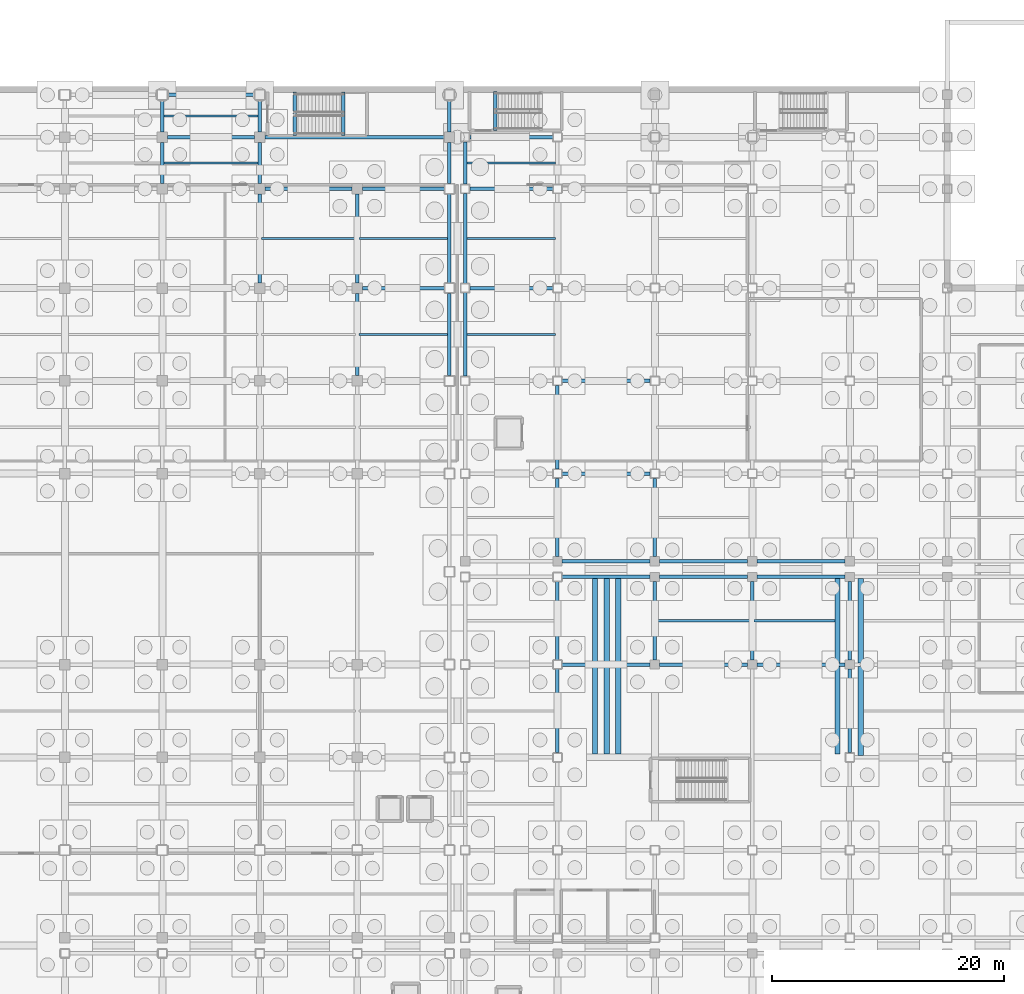
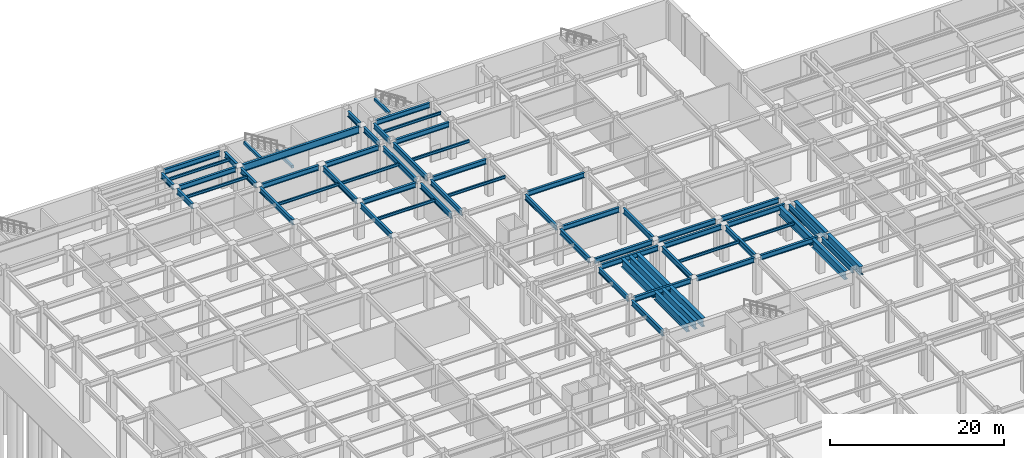
# One storey, part 26 of 55: 66 beams.
"""IFC4 building model written with IfcOpenShell, lengths in metres."""

from ifc_helpers import new_model, si_unit, direction, frame, origin, origin_2d, place, context, subcontext, project, spatial, rectangle, i_section, extrude, material, material_profile, profile_set, type_object, element, save


model = new_model("IFC4")

# Units and contexts
model_context = context("Model", 3, precision=1e-05, world=origin(), true_north=direction((0.0, 1.0)))
body_context = subcontext(model_context, "Body", "Model", "MODEL_VIEW")
ifc_project = project(units=[si_unit("LENGTHUNIT", "METRE"), si_unit("AREAUNIT", "SQUARE_METRE"), si_unit("VOLUMEUNIT", "CUBIC_METRE"), si_unit("PLANEANGLEUNIT", "RADIAN"), si_unit("MASSUNIT", "GRAM", prefix="KILO")], contexts=[model_context])

# Site, building, storey
site_placement = place(None, origin())
site = spatial("IfcSite", under=ifc_project, at=site_placement, CompositionType="ELEMENT")
building_placement = place(site_placement, origin())
building = spatial("IfcBuilding", under=site, at=building_placement, Name="Kazehara Bluff Congress Hotel", CompositionType="ELEMENT")
storey_placement = place(building_placement, frame((0.0, 0.0, -5.39990234375)))
storey = spatial("IfcBuildingStorey", under=building, at=storey_placement, Name="B1", CompositionType="ELEMENT", Elevation=-5.39990234375)

# Beams
ifc_material_1 = material(Name="Steel SN490B", Category="steel")
ifc_material_profile_1 = material_profile(ifc_material_1, i_section(OverallWidth=0.300048828125, OverallDepth=0.699951171875, WebThickness=0.012939453125, FlangeThickness=0.02392578125, FilletRadius=0.01806640625, at=origin_2d()))
ifc_profile_set_1 = profile_set([ifc_material_profile_1], Name="Steel SN490B")
beam_type_1 = type_object("IfcBeamType", Name="TP-G-04", PredefinedType="BEAM", material=ifc_profile_set_1)
beam_1_placement = place(storey_placement, frame((68.050048828125, 64.449951171875, 4.77001953125), z_axis=(1.0, 0.0, 0.0), x_axis=(0.0, 1.0, 0.0)))
element("IfcBeam", 1, at=beam_1_placement, inside=storey, type_object=beam_type_1, Name="B1 girder G-04 421", PredefinedType="BEAM", context=body_context, shape_type="SweptSolid", body=[
    extrude(i_section(OverallWidth=0.300048828125, OverallDepth=0.699951171875, WebThickness=0.012939453125, FlangeThickness=0.02392578125, FilletRadius=0.01806640625, at=origin_2d()), origin(), (0.0, 0.0, 1.0), 7.599853515625),
])
beam_2_placement = place(storey_placement, frame((76.449951171875, 64.449951171875, 4.77001953125), z_axis=(1.0, 0.0, 0.0), x_axis=(0.0, 1.0, 0.0)))
element("IfcBeam", 2, at=beam_2_placement, inside=storey, type_object=beam_type_1, Name="B1 girder G-04 422", PredefinedType="BEAM", context=body_context, shape_type="SweptSolid", body=[
    extrude(i_section(OverallWidth=0.300048828125, OverallDepth=0.699951171875, WebThickness=0.012939453125, FlangeThickness=0.02392578125, FilletRadius=0.01806640625, at=origin_2d()), origin(), (0.0, 0.0, 1.0), 7.60009765625),
])
for number, where, z_axis, x_axis, name in (
    (3, (84.85009765625, 64.449951171875, 4.77001953125), (1.0, 0.0, 0.0), (0.0, 1.0, 0.0), "B1 girder G-04 423"),
    (4, (68.050048828125, 72.0, 4.77001953125), (1.0, 0.0, 0.0), (0.0, 1.0, 0.0), "B1 girder G-04 434"),
):
    element("IfcBeam", number, at=place(storey_placement, frame(where, z_axis=z_axis, x_axis=x_axis)), inside=storey, type_object=beam_type_1, Name=name, PredefinedType="BEAM", context=body_context, shape_type="SweptSolid", body=[
        extrude(i_section(OverallWidth=0.300048828125, OverallDepth=0.699951171875, WebThickness=0.012939453125, FlangeThickness=0.02392578125, FilletRadius=0.01806640625, at=origin_2d()), origin(), (0.0, 0.0, 1.0), 7.599853515625),
    ])
beam_3_placement = place(storey_placement, frame((76.449951171875, 72.0, 4.77001953125), z_axis=(1.0, 0.0, 0.0), x_axis=(0.0, 1.0, 0.0)))
element("IfcBeam", 5, at=beam_3_placement, inside=storey, type_object=beam_type_1, Name="B1 girder G-04 435", PredefinedType="BEAM", context=body_context, shape_type="SweptSolid", body=[
    extrude(i_section(OverallWidth=0.300048828125, OverallDepth=0.699951171875, WebThickness=0.012939453125, FlangeThickness=0.02392578125, FilletRadius=0.01806640625, at=origin_2d()), origin(), (0.0, 0.0, 1.0), 7.60009765625),
])
for number, where, z_axis, x_axis, name in (
    (6, (84.85009765625, 72.0, 4.77001953125), (1.0, 0.0, 0.0), (0.0, 1.0, 0.0), "B1 girder G-04 436"),
    (7, (68.050048828125, 73.35009765625, 4.77001953125), (1.0, 0.0, 0.0), (0.0, 1.0, 0.0), "B1 girder G-04 448"),
):
    element("IfcBeam", number, at=place(storey_placement, frame(where, z_axis=z_axis, x_axis=x_axis)), inside=storey, type_object=beam_type_1, Name=name, PredefinedType="BEAM", context=body_context, shape_type="SweptSolid", body=[
        extrude(i_section(OverallWidth=0.300048828125, OverallDepth=0.699951171875, WebThickness=0.012939453125, FlangeThickness=0.02392578125, FilletRadius=0.01806640625, at=origin_2d()), origin(), (0.0, 0.0, 1.0), 7.599853515625),
    ])
beam_4_placement = place(storey_placement, frame((76.449951171875, 73.35009765625, 4.77001953125), z_axis=(1.0, 0.0, 0.0), x_axis=(0.0, 1.0, 0.0)))
element("IfcBeam", 8, at=beam_4_placement, inside=storey, type_object=beam_type_1, Name="B1 girder G-04 449", PredefinedType="BEAM", context=body_context, shape_type="SweptSolid", body=[
    extrude(i_section(OverallWidth=0.300048828125, OverallDepth=0.699951171875, WebThickness=0.012939453125, FlangeThickness=0.02392578125, FilletRadius=0.01806640625, at=origin_2d()), origin(), (0.0, 0.0, 1.0), 7.60009765625),
])
for number, where, z_axis, x_axis, name in (
    (9, (84.85009765625, 73.35009765625, 4.77001953125), (1.0, 0.0, 0.0), (0.0, 1.0, 0.0), "B1 girder G-04 450"),
    (10, (68.050048828125, 80.89990234375, 4.77001953125), (1.0, 0.0, 0.0), (0.0, 1.0, 0.0), "B1 girder G-04 466"),
    (11, (68.050048828125, 88.89990234375, 4.77001953125), (1.0, 0.0, 0.0), (0.0, 1.0, 0.0), "B1 girder G-04 486"),
):
    element("IfcBeam", number, at=place(storey_placement, frame(where, z_axis=z_axis, x_axis=x_axis)), inside=storey, type_object=beam_type_1, Name=name, PredefinedType="BEAM", context=body_context, shape_type="SweptSolid", body=[
        extrude(i_section(OverallWidth=0.300048828125, OverallDepth=0.699951171875, WebThickness=0.012939453125, FlangeThickness=0.02392578125, FilletRadius=0.01806640625, at=origin_2d()), origin(), (0.0, 0.0, 1.0), 7.599853515625),
    ])
beam_5_placement = place(storey_placement, frame((50.85009765625, 96.89990234375, 4.77001953125), z_axis=(1.0, 0.0, 0.0), x_axis=(0.0, 1.0, 0.0)))
element("IfcBeam", 12, at=beam_5_placement, inside=storey, type_object=beam_type_1, Name="B1 girder G-04 504", PredefinedType="BEAM", context=body_context, shape_type="SweptSolid", body=[
    extrude(i_section(OverallWidth=0.300048828125, OverallDepth=0.699951171875, WebThickness=0.012939453125, FlangeThickness=0.02392578125, FilletRadius=0.01806640625, at=origin_2d()), origin(), (0.0, 0.0, 1.0), 7.0498046875),
])
beam_6_placement = place(storey_placement, frame((60.10009765625, 96.89990234375, 4.77001953125), z_axis=(1.0, 0.0, 0.0), x_axis=(0.0, 1.0, 0.0)))
element("IfcBeam", 13, at=beam_6_placement, inside=storey, type_object=beam_type_1, Name="B1 girder G-04 505", PredefinedType="BEAM", context=body_context, shape_type="SweptSolid", body=[
    extrude(i_section(OverallWidth=0.300048828125, OverallDepth=0.699951171875, WebThickness=0.012939453125, FlangeThickness=0.02392578125, FilletRadius=0.01806640625, at=origin_2d()), origin(), (0.0, 0.0, 1.0), 7.14990234375),
])
beam_7_placement = place(storey_placement, frame((42.449951171875, 105.449951171875, 4.77001953125), z_axis=(1.0, 0.0, 0.0), x_axis=(0.0, 1.0, 0.0)))
element("IfcBeam", 14, at=beam_7_placement, inside=storey, type_object=beam_type_1, Name="B1 girder G-04 516", PredefinedType="BEAM", context=body_context, shape_type="SweptSolid", body=[
    extrude(i_section(OverallWidth=0.300048828125, OverallDepth=0.699951171875, WebThickness=0.012939453125, FlangeThickness=0.02392578125, FilletRadius=0.01806640625, at=origin_2d()), origin(), (0.0, 0.0, 1.0), 7.5),
])
beam_8_placement = place(storey_placement, frame((50.85009765625, 105.449951171875, 4.77001953125), z_axis=(1.0, 0.0, 0.0), x_axis=(0.0, 1.0, 0.0)))
element("IfcBeam", 15, at=beam_8_placement, inside=storey, type_object=beam_type_1, Name="B1 girder G-04 517", PredefinedType="BEAM", context=body_context, shape_type="SweptSolid", body=[
    extrude(i_section(OverallWidth=0.300048828125, OverallDepth=0.699951171875, WebThickness=0.012939453125, FlangeThickness=0.02392578125, FilletRadius=0.01806640625, at=origin_2d()), origin(), (0.0, 0.0, 1.0), 7.0498046875),
])
beam_9_placement = place(storey_placement, frame((60.10009765625, 105.449951171875, 4.77001953125), z_axis=(1.0, 0.0, 0.0), x_axis=(0.0, 1.0, 0.0)))
element("IfcBeam", 16, at=beam_9_placement, inside=storey, type_object=beam_type_1, Name="B1 girder G-04 518", PredefinedType="BEAM", context=body_context, shape_type="SweptSolid", body=[
    extrude(i_section(OverallWidth=0.300048828125, OverallDepth=0.699951171875, WebThickness=0.012939453125, FlangeThickness=0.02392578125, FilletRadius=0.01806640625, at=origin_2d()), origin(), (0.0, 0.0, 1.0), 7.14990234375),
])
beam_10_placement = place(storey_placement, frame((34.050048828125, 109.89990234375, 4.77001953125), z_axis=(1.0, 0.0, 0.0), x_axis=(0.0, 1.0, 0.0)))
element("IfcBeam", 17, at=beam_10_placement, inside=storey, type_object=beam_type_1, Name="B1 girder G-04 527", PredefinedType="BEAM", context=body_context, shape_type="SweptSolid", body=[
    extrude(i_section(OverallWidth=0.300048828125, OverallDepth=0.699951171875, WebThickness=0.012939453125, FlangeThickness=0.02392578125, FilletRadius=0.01806640625, at=origin_2d()), origin(), (0.0, 0.0, 1.0), 7.5),
])
beam_11_placement = place(storey_placement, frame((60.10009765625, 109.89990234375, 4.77001953125), z_axis=(1.0, 0.0, 0.0), x_axis=(0.0, 1.0, 0.0)))
element("IfcBeam", 18, at=beam_11_placement, inside=storey, type_object=beam_type_1, Name="B1 girder G-04 529", PredefinedType="BEAM", context=body_context, shape_type="SweptSolid", body=[
    extrude(i_section(OverallWidth=0.300048828125, OverallDepth=0.699951171875, WebThickness=0.012939453125, FlangeThickness=0.02392578125, FilletRadius=0.01806640625, at=origin_2d()), origin(), (0.0, 0.0, 1.0), 7.14990234375),
])
beam_12_placement = place(storey_placement, frame((34.050048828125, 113.550048828125, 4.77001953125), z_axis=(1.0, 0.0, 0.0), x_axis=(0.0, 1.0, 0.0)))
element("IfcBeam", 19, at=beam_12_placement, inside=storey, type_object=beam_type_1, Name="B1 girder G-04 537", PredefinedType="BEAM", context=body_context, shape_type="SweptSolid", body=[
    extrude(i_section(OverallWidth=0.300048828125, OverallDepth=0.699951171875, WebThickness=0.012939453125, FlangeThickness=0.02392578125, FilletRadius=0.01806640625, at=origin_2d()), origin(), (0.0, 0.0, 1.0), 7.5),
])
ifc_material_2 = material(Name="Steel SN490B", Category="steel")
ifc_material_profile_2 = material_profile(ifc_material_2, i_section(OverallWidth=0.300048828125, OverallDepth=0.75, WebThickness=0.012939453125, FlangeThickness=0.02392578125, FilletRadius=0.01806640625, at=origin_2d()))
ifc_profile_set_2 = profile_set([ifc_material_profile_2], Name="Steel SN490B")
beam_type_2 = type_object("IfcBeamType", Name="TP-G-05", PredefinedType="BEAM", material=ifc_profile_set_2)
beam_13_placement = place(storey_placement, frame((33.60009765625, 105.89990234375, 4.744873046875), z_axis=(0.0, 1.0, 0.0), x_axis=(-1.0, 0.0, 0.0)))
element("IfcBeam", 20, at=beam_13_placement, inside=storey, type_object=beam_type_2, Name="B1 girder G-05 61", PredefinedType="BEAM", context=body_context, shape_type="SweptSolid", body=[
    extrude(i_section(OverallWidth=0.300048828125, OverallDepth=0.75, WebThickness=0.012939453125, FlangeThickness=0.02392578125, FilletRadius=0.01806640625, at=origin_2d()), origin(), (0.0, 0.0, 1.0), 3.550048828125),
])
beam_14_placement = place(storey_placement, frame((33.60009765625, 110.35009765625, 4.744873046875), z_axis=(0.0, 1.0, 0.0), x_axis=(-1.0, 0.0, 0.0)))
element("IfcBeam", 21, at=beam_14_placement, inside=storey, type_object=beam_type_2, Name="B1 girder G-05 62", PredefinedType="BEAM", context=body_context, shape_type="SweptSolid", body=[
    extrude(i_section(OverallWidth=0.300048828125, OverallDepth=0.75, WebThickness=0.012939453125, FlangeThickness=0.02392578125, FilletRadius=0.01806640625, at=origin_2d()), origin(), (0.0, 0.0, 1.0), 2.75),
])
beam_15_placement = place(storey_placement, frame((42.0, 97.35009765625, 4.744873046875), z_axis=(0.0, 1.0, 0.0), x_axis=(-1.0, 0.0, 0.0)))
element("IfcBeam", 22, at=beam_15_placement, inside=storey, type_object=beam_type_2, Name="B1 girder G-05 74", PredefinedType="BEAM", context=body_context, shape_type="SweptSolid", body=[
    extrude(i_section(OverallWidth=0.300048828125, OverallDepth=0.75, WebThickness=0.012939453125, FlangeThickness=0.02392578125, FilletRadius=0.01806640625, at=origin_2d()), origin(), (0.0, 0.0, 1.0), 7.64990234375),
])
beam_16_placement = place(storey_placement, frame((42.0, 105.89990234375, 4.744873046875), z_axis=(0.0, 1.0, 0.0), x_axis=(-1.0, 0.0, 0.0)))
element("IfcBeam", 23, at=beam_16_placement, inside=storey, type_object=beam_type_2, Name="B1 girder G-05 75", PredefinedType="BEAM", context=body_context, shape_type="SweptSolid", body=[
    extrude(i_section(OverallWidth=0.300048828125, OverallDepth=0.75, WebThickness=0.012939453125, FlangeThickness=0.02392578125, FilletRadius=0.01806640625, at=origin_2d()), origin(), (0.0, 0.0, 1.0), 3.550048828125),
])
beam_17_placement = place(storey_placement, frame((42.0, 110.35009765625, 4.744873046875), z_axis=(0.0, 1.0, 0.0), x_axis=(-1.0, 0.0, 0.0)))
element("IfcBeam", 24, at=beam_17_placement, inside=storey, type_object=beam_type_2, Name="B1 girder G-05 76", PredefinedType="BEAM", context=body_context, shape_type="SweptSolid", body=[
    extrude(i_section(OverallWidth=0.300048828125, OverallDepth=0.75, WebThickness=0.012939453125, FlangeThickness=0.02392578125, FilletRadius=0.01806640625, at=origin_2d()), origin(), (0.0, 0.0, 1.0), 2.75),
])
beam_18_placement = place(storey_placement, frame((50.39990234375, 89.35009765625, 4.744873046875), z_axis=(0.0, 1.0, 0.0), x_axis=(-1.0, 0.0, 0.0)))
element("IfcBeam", 25, at=beam_18_placement, inside=storey, type_object=beam_type_2, Name="B1 girder G-05 86", PredefinedType="BEAM", context=body_context, shape_type="SweptSolid", body=[
    extrude(i_section(OverallWidth=0.300048828125, OverallDepth=0.75, WebThickness=0.012939453125, FlangeThickness=0.02392578125, FilletRadius=0.01806640625, at=origin_2d()), origin(), (0.0, 0.0, 1.0), 7.099853515625),
])
beam_19_placement = place(storey_placement, frame((50.39990234375, 97.35009765625, 4.744873046875), z_axis=(0.0, 1.0, 0.0), x_axis=(-1.0, 0.0, 0.0)))
element("IfcBeam", 26, at=beam_19_placement, inside=storey, type_object=beam_type_2, Name="B1 girder G-05 87", PredefinedType="BEAM", context=body_context, shape_type="SweptSolid", body=[
    extrude(i_section(OverallWidth=0.300048828125, OverallDepth=0.75, WebThickness=0.012939453125, FlangeThickness=0.02392578125, FilletRadius=0.01806640625, at=origin_2d()), origin(), (0.0, 0.0, 1.0), 7.64990234375),
])
beam_20_placement = place(storey_placement, frame((58.35009765625, 89.35009765625, 4.744873046875), z_axis=(0.0, 1.0, 0.0), x_axis=(-1.0, 0.0, 0.0)))
element("IfcBeam", 27, at=beam_20_placement, inside=storey, type_object=beam_type_2, Name="B1 girder G-05 99", PredefinedType="BEAM", context=body_context, shape_type="SweptSolid", body=[
    extrude(i_section(OverallWidth=0.300048828125, OverallDepth=0.75, WebThickness=0.012939453125, FlangeThickness=0.02392578125, FilletRadius=0.01806640625, at=origin_2d()), origin(), (0.0, 0.0, 1.0), 7.099853515625),
])
beam_21_placement = place(storey_placement, frame((58.35009765625, 97.35009765625, 4.744873046875), z_axis=(0.0, 1.0, 0.0), x_axis=(-1.0, 0.0, 0.0)))
element("IfcBeam", 28, at=beam_21_placement, inside=storey, type_object=beam_type_2, Name="B1 girder G-05 100", PredefinedType="BEAM", context=body_context, shape_type="SweptSolid", body=[
    extrude(i_section(OverallWidth=0.300048828125, OverallDepth=0.75, WebThickness=0.012939453125, FlangeThickness=0.02392578125, FilletRadius=0.01806640625, at=origin_2d()), origin(), (0.0, 0.0, 1.0), 7.64990234375),
])
beam_22_placement = place(storey_placement, frame((58.35009765625, 105.89990234375, 4.744873046875), z_axis=(0.0, 1.0, 0.0), x_axis=(-1.0, 0.0, 0.0)))
element("IfcBeam", 29, at=beam_22_placement, inside=storey, type_object=beam_type_2, Name="B1 girder G-05 101", PredefinedType="BEAM", context=body_context, shape_type="SweptSolid", body=[
    extrude(i_section(OverallWidth=0.300048828125, OverallDepth=0.75, WebThickness=0.012939453125, FlangeThickness=0.02392578125, FilletRadius=0.01806640625, at=origin_2d()), origin(), (0.0, 0.0, 1.0), 3.550048828125),
])
beam_23_placement = place(storey_placement, frame((58.35009765625, 110.35009765625, 4.744873046875), z_axis=(0.0, 1.0, 0.0), x_axis=(-1.0, 0.0, 0.0)))
element("IfcBeam", 30, at=beam_23_placement, inside=storey, type_object=beam_type_2, Name="B1 girder G-05 102", PredefinedType="BEAM", context=body_context, shape_type="SweptSolid", body=[
    extrude(i_section(OverallWidth=0.300048828125, OverallDepth=0.75, WebThickness=0.012939453125, FlangeThickness=0.02392578125, FilletRadius=0.01806640625, at=origin_2d()), origin(), (0.0, 0.0, 1.0), 2.75),
])
beam_24_placement = place(storey_placement, frame((59.699951171875, 89.300048828125, 4.744873046875), z_axis=(0.0, 1.0, 0.0), x_axis=(-1.0, 0.0, 0.0)))
element("IfcBeam", 31, at=beam_24_placement, inside=storey, type_object=beam_type_2, Name="B1 girder G-05 112", PredefinedType="BEAM", context=body_context, shape_type="SweptSolid", body=[
    extrude(i_section(OverallWidth=0.300048828125, OverallDepth=0.75, WebThickness=0.012939453125, FlangeThickness=0.02392578125, FilletRadius=0.01806640625, at=origin_2d()), origin(), (0.0, 0.0, 1.0), 7.199951171875),
])
beam_25_placement = place(storey_placement, frame((59.699951171875, 97.300048828125, 4.744873046875), z_axis=(0.0, 1.0, 0.0), x_axis=(-1.0, 0.0, 0.0)))
element("IfcBeam", 32, at=beam_25_placement, inside=storey, type_object=beam_type_2, Name="B1 girder G-05 113", PredefinedType="BEAM", context=body_context, shape_type="SweptSolid", body=[
    extrude(i_section(OverallWidth=0.300048828125, OverallDepth=0.75, WebThickness=0.012939453125, FlangeThickness=0.02392578125, FilletRadius=0.01806640625, at=origin_2d()), origin(), (0.0, 0.0, 1.0), 7.75),
])
beam_26_placement = place(storey_placement, frame((59.699951171875, 105.85009765625, 4.744873046875), z_axis=(0.0, 1.0, 0.0), x_axis=(-1.0, 0.0, 0.0)))
element("IfcBeam", 33, at=beam_26_placement, inside=storey, type_object=beam_type_2, Name="B1 girder G-05 114", PredefinedType="BEAM", context=body_context, shape_type="SweptSolid", body=[
    extrude(i_section(OverallWidth=0.300048828125, OverallDepth=0.75, WebThickness=0.012939453125, FlangeThickness=0.02392578125, FilletRadius=0.01806640625, at=origin_2d()), origin(), (0.0, 0.0, 1.0), 3.64990234375),
])
beam_27_placement = place(storey_placement, frame((67.64990234375, 56.85009765625, 4.744873046875), z_axis=(0.0, 1.0, 0.0), x_axis=(-1.0, 0.0, 0.0)))
element("IfcBeam", 34, at=beam_27_placement, inside=storey, type_object=beam_type_2, Name="B1 girder G-05 120", PredefinedType="BEAM", context=body_context, shape_type="SweptSolid", body=[
    extrude(i_section(OverallWidth=0.300048828125, OverallDepth=0.75, WebThickness=0.012939453125, FlangeThickness=0.02392578125, FilletRadius=0.01806640625, at=origin_2d()), origin(), (0.0, 0.0, 1.0), 7.199951171875),
])
for number, where, z_axis, x_axis, name in (
    (35, (67.64990234375, 64.85009765625, 4.744873046875), (0.0, 1.0, 0.0), (-1.0, 0.0, 0.0), "B1 girder G-05 121"),
    (36, (67.64990234375, 73.75, 4.744873046875), (0.0, 1.0, 0.0), (-1.0, 0.0, 0.0), "B1 girder G-05 122"),
):
    element("IfcBeam", number, at=place(storey_placement, frame(where, z_axis=z_axis, x_axis=x_axis)), inside=storey, type_object=beam_type_2, Name=name, PredefinedType="BEAM", context=body_context, shape_type="SweptSolid", body=[
        extrude(i_section(OverallWidth=0.300048828125, OverallDepth=0.75, WebThickness=0.012939453125, FlangeThickness=0.02392578125, FilletRadius=0.01806640625, at=origin_2d()), origin(), (0.0, 0.0, 1.0), 6.75),
    ])
beam_28_placement = place(storey_placement, frame((67.64990234375, 81.300048828125, 4.744873046875), z_axis=(0.0, 1.0, 0.0), x_axis=(-1.0, 0.0, 0.0)))
element("IfcBeam", 37, at=beam_28_placement, inside=storey, type_object=beam_type_2, Name="B1 girder G-05 123", PredefinedType="BEAM", context=body_context, shape_type="SweptSolid", body=[
    extrude(i_section(OverallWidth=0.300048828125, OverallDepth=0.75, WebThickness=0.012939453125, FlangeThickness=0.02392578125, FilletRadius=0.01806640625, at=origin_2d()), origin(), (0.0, 0.0, 1.0), 7.199951171875),
])
for number, where, z_axis, x_axis, name in (
    (38, (76.050048828125, 64.85009765625, 4.744873046875), (0.0, 1.0, 0.0), (-1.0, 0.0, 0.0), "B1 girder G-05 132"),
    (39, (76.050048828125, 73.75, 4.744873046875), (0.0, 1.0, 0.0), (-1.0, 0.0, 0.0), "B1 girder G-05 133"),
    (40, (84.449951171875, 64.85009765625, 4.744873046875), (0.0, 1.0, 0.0), (-1.0, 0.0, 0.0), "B1 girder G-05 144"),
):
    element("IfcBeam", number, at=place(storey_placement, frame(where, z_axis=z_axis, x_axis=x_axis)), inside=storey, type_object=beam_type_2, Name=name, PredefinedType="BEAM", context=body_context, shape_type="SweptSolid", body=[
        extrude(i_section(OverallWidth=0.300048828125, OverallDepth=0.75, WebThickness=0.012939453125, FlangeThickness=0.02392578125, FilletRadius=0.01806640625, at=origin_2d()), origin(), (0.0, 0.0, 1.0), 6.75),
    ])
beam_29_placement = place(storey_placement, frame((92.85009765625, 56.85009765625, 4.744873046875), z_axis=(0.0, 1.0, 0.0), x_axis=(-1.0, 0.0, 0.0)))
element("IfcBeam", 41, at=beam_29_placement, inside=storey, type_object=beam_type_2, Name="B1 girder G-05 155", PredefinedType="BEAM", context=body_context, shape_type="SweptSolid", body=[
    extrude(i_section(OverallWidth=0.300048828125, OverallDepth=0.75, WebThickness=0.012939453125, FlangeThickness=0.02392578125, FilletRadius=0.01806640625, at=origin_2d()), origin(), (0.0, 0.0, 1.0), 7.199951171875),
])
beam_30_placement = place(storey_placement, frame((92.85009765625, 64.85009765625, 4.744873046875), z_axis=(0.0, 1.0, 0.0), x_axis=(-1.0, 0.0, 0.0)))
element("IfcBeam", 42, at=beam_30_placement, inside=storey, type_object=beam_type_2, Name="B1 girder G-05 156", PredefinedType="BEAM", context=body_context, shape_type="SweptSolid", body=[
    extrude(i_section(OverallWidth=0.300048828125, OverallDepth=0.75, WebThickness=0.012939453125, FlangeThickness=0.02392578125, FilletRadius=0.01806640625, at=origin_2d()), origin(), (0.0, 0.0, 1.0), 6.75),
])
ifc_material_3 = material(Name="Steel SN490B", Category="steel")
ifc_material_profile_3 = material_profile(ifc_material_3, i_section(OverallWidth=0.300048828125, OverallDepth=1.0, WebThickness=0.01611328125, FlangeThickness=0.028076171875, FilletRadius=0.02197265625, at=origin_2d()))
ifc_profile_set_3 = profile_set([ifc_material_profile_3], Name="Steel SN490B")
beam_type_3 = type_object("IfcBeamType", Name="TP-G-09", PredefinedType="BEAM", material=ifc_profile_set_3)
beam_31_placement = place(storey_placement, frame((42.449951171875, 109.89990234375, 4.619873046875), z_axis=(1.0, 0.0, 0.0), x_axis=(0.0, 1.0, 0.0)))
element("IfcBeam", 43, at=beam_31_placement, inside=storey, type_object=beam_type_3, Name="B1 girder G-09 528", PredefinedType="BEAM", context=body_context, shape_type="SweptSolid", body=[
    extrude(i_section(OverallWidth=0.300048828125, OverallDepth=1.0, WebThickness=0.01611328125, FlangeThickness=0.028076171875, FilletRadius=0.02197265625, at=origin_2d()), origin(), (0.0, 0.0, 1.0), 15.449951171875),
])
ifc_material_4 = material(Name="Steel SN490B", Category="steel")
ifc_material_profile_4 = material_profile(ifc_material_4, i_section(OverallWidth=0.449951171875, OverallDepth=1.199951171875, WebThickness=0.02001953125, FlangeThickness=0.031982421875, at=origin_2d()))
ifc_profile_set_4 = profile_set([ifc_material_profile_4], Name="Steel SN490B")
beam_type_4 = type_object("IfcBeamType", Name="TP-G-10", PredefinedType="BEAM", material=ifc_profile_set_4)
beam_32_placement = place(storey_placement, frame((70.89990234375, 56.72509765625, 4.52001953125), z_axis=(0.0, 1.0, 0.0), x_axis=(-1.0, 0.0, 0.0)))
element("IfcBeam", 44, at=beam_32_placement, inside=storey, type_object=beam_type_4, Name="B1 courtyard ramp support girder G-10 540", PredefinedType="BEAM", context=body_context, shape_type="SweptSolid", body=[
    extrude(i_section(OverallWidth=0.449951171875, OverallDepth=1.199951171875, WebThickness=0.02001953125, FlangeThickness=0.031982421875, at=origin_2d()), origin(), (0.0, 0.0, 1.0), 7.574951171875),
])
beam_33_placement = place(storey_placement, frame((70.89990234375, 64.60009765625, 4.52001953125), z_axis=(0.0, 1.0, 0.0), x_axis=(-1.0, 0.0, 0.0)))
element("IfcBeam", 45, at=beam_33_placement, inside=storey, type_object=beam_type_4, Name="B1 courtyard ramp support girder G-10 541", PredefinedType="BEAM", context=body_context, shape_type="SweptSolid", body=[
    extrude(i_section(OverallWidth=0.449951171875, OverallDepth=1.199951171875, WebThickness=0.02001953125, FlangeThickness=0.031982421875, at=origin_2d()), origin(), (0.0, 0.0, 1.0), 7.25),
])
beam_34_placement = place(storey_placement, frame((71.89990234375, 56.72509765625, 4.52001953125), z_axis=(0.0, 1.0, 0.0), x_axis=(-1.0, 0.0, 0.0)))
element("IfcBeam", 46, at=beam_34_placement, inside=storey, type_object=beam_type_4, Name="B1 courtyard ramp support girder G-10 542", PredefinedType="BEAM", context=body_context, shape_type="SweptSolid", body=[
    extrude(i_section(OverallWidth=0.449951171875, OverallDepth=1.199951171875, WebThickness=0.02001953125, FlangeThickness=0.031982421875, at=origin_2d()), origin(), (0.0, 0.0, 1.0), 7.574951171875),
])
beam_35_placement = place(storey_placement, frame((71.89990234375, 64.60009765625, 4.52001953125), z_axis=(0.0, 1.0, 0.0), x_axis=(-1.0, 0.0, 0.0)))
element("IfcBeam", 47, at=beam_35_placement, inside=storey, type_object=beam_type_4, Name="B1 courtyard ramp support girder G-10 543", PredefinedType="BEAM", context=body_context, shape_type="SweptSolid", body=[
    extrude(i_section(OverallWidth=0.449951171875, OverallDepth=1.199951171875, WebThickness=0.02001953125, FlangeThickness=0.031982421875, at=origin_2d()), origin(), (0.0, 0.0, 1.0), 7.25),
])
beam_36_placement = place(storey_placement, frame((72.89990234375, 56.72509765625, 4.52001953125), z_axis=(0.0, 1.0, 0.0), x_axis=(-1.0, 0.0, 0.0)))
element("IfcBeam", 48, at=beam_36_placement, inside=storey, type_object=beam_type_4, Name="B1 courtyard ramp support girder G-10 544", PredefinedType="BEAM", context=body_context, shape_type="SweptSolid", body=[
    extrude(i_section(OverallWidth=0.449951171875, OverallDepth=1.199951171875, WebThickness=0.02001953125, FlangeThickness=0.031982421875, at=origin_2d()), origin(), (0.0, 0.0, 1.0), 7.574951171875),
])
beam_37_placement = place(storey_placement, frame((72.89990234375, 64.60009765625, 4.52001953125), z_axis=(0.0, 1.0, 0.0), x_axis=(-1.0, 0.0, 0.0)))
element("IfcBeam", 49, at=beam_37_placement, inside=storey, type_object=beam_type_4, Name="B1 courtyard ramp support girder G-10 545", PredefinedType="BEAM", context=body_context, shape_type="SweptSolid", body=[
    extrude(i_section(OverallWidth=0.449951171875, OverallDepth=1.199951171875, WebThickness=0.02001953125, FlangeThickness=0.031982421875, at=origin_2d()), origin(), (0.0, 0.0, 1.0), 7.25),
])
beam_38_placement = place(storey_placement, frame((91.800048828125, 56.72509765625, 4.52001953125), z_axis=(0.0, 1.0, 0.0), x_axis=(-1.0, 0.0, 0.0)))
element("IfcBeam", 50, at=beam_38_placement, inside=storey, type_object=beam_type_4, Name="B1 courtyard ramp support girder G-10 546", PredefinedType="BEAM", context=body_context, shape_type="SweptSolid", body=[
    extrude(i_section(OverallWidth=0.449951171875, OverallDepth=1.199951171875, WebThickness=0.02001953125, FlangeThickness=0.031982421875, at=origin_2d()), origin(), (0.0, 0.0, 1.0), 7.574951171875),
])
beam_39_placement = place(storey_placement, frame((91.800048828125, 64.60009765625, 4.52001953125), z_axis=(0.0, 1.0, 0.0), x_axis=(-1.0, 0.0, 0.0)))
element("IfcBeam", 51, at=beam_39_placement, inside=storey, type_object=beam_type_4, Name="B1 courtyard ramp support girder G-10 547", PredefinedType="BEAM", context=body_context, shape_type="SweptSolid", body=[
    extrude(i_section(OverallWidth=0.449951171875, OverallDepth=1.199951171875, WebThickness=0.02001953125, FlangeThickness=0.031982421875, at=origin_2d()), origin(), (0.0, 0.0, 1.0), 7.25),
])
beam_40_placement = place(storey_placement, frame((93.800048828125, 56.60009765625, 4.52001953125), z_axis=(0.0, 1.0, 0.0), x_axis=(-1.0, 0.0, 0.0)))
element("IfcBeam", 52, at=beam_40_placement, inside=storey, type_object=beam_type_4, Name="B1 courtyard ramp support girder G-10 548", PredefinedType="BEAM", context=body_context, shape_type="SweptSolid", body=[
    extrude(i_section(OverallWidth=0.449951171875, OverallDepth=1.199951171875, WebThickness=0.02001953125, FlangeThickness=0.031982421875, at=origin_2d()), origin(), (0.0, 0.0, 1.0), 7.699951171875),
])
beam_41_placement = place(storey_placement, frame((93.800048828125, 64.60009765625, 4.52001953125), z_axis=(0.0, 1.0, 0.0), x_axis=(-1.0, 0.0, 0.0)))
element("IfcBeam", 53, at=beam_41_placement, inside=storey, type_object=beam_type_4, Name="B1 courtyard ramp support girder G-10 549", PredefinedType="BEAM", context=body_context, shape_type="SweptSolid", body=[
    extrude(i_section(OverallWidth=0.449951171875, OverallDepth=1.199951171875, WebThickness=0.02001953125, FlangeThickness=0.031982421875, at=origin_2d()), origin(), (0.0, 0.0, 1.0), 7.25),
])
ifc_material_5 = material(Name="Steel SN400B", Category="steel")
ifc_material_profile_5 = material_profile(ifc_material_5, i_section(OverallWidth=0.199951171875, OverallDepth=0.39990234375, WebThickness=0.008056640625, FlangeThickness=0.012939453125, FilletRadius=0.012939453125, at=origin_2d()))
ifc_profile_set_5 = profile_set([ifc_material_profile_5], Name="Steel SN400B")
beam_type_5 = type_object("IfcBeamType", Name="TP-J-03", PredefinedType="JOIST", material=ifc_profile_set_5)
for number, where, z_axis, x_axis, name in (
    (54, (33.75, 107.675048828125, 4.919921875), (1.0, 0.0, 0.0), (0.0, 1.0, 0.0), "B1 secondary joist J-03 39"),
    (55, (33.75, 111.72509765625, 4.919921875), (1.0, 0.0, 0.0), (0.0, 1.0, 0.0), "B1 secondary joist J-03 40"),
    (56, (42.14990234375, 101.175048828125, 4.919921875), (1.0, 0.0, 0.0), (0.0, 1.0, 0.0), "B1 secondary joist J-03 50"),
):
    element("IfcBeam", number, at=place(storey_placement, frame(where, z_axis=z_axis, x_axis=x_axis)), inside=storey, type_object=beam_type_5, Name=name, PredefinedType="JOIST", context=body_context, shape_type="SweptSolid", body=[
        extrude(i_section(OverallWidth=0.199951171875, OverallDepth=0.39990234375, WebThickness=0.008056640625, FlangeThickness=0.012939453125, FilletRadius=0.012939453125, at=origin_2d()), origin(), (0.0, 0.0, 1.0), 8.10009765625),
    ])
for number, where, z_axis, x_axis, name in (
    (57, (50.550048828125, 92.89990234375, 4.919921875), (1.0, 0.0, 0.0), (0.0, 1.0, 0.0), "B1 secondary joist J-03 57"),
    (58, (50.550048828125, 101.175048828125, 4.919921875), (1.0, 0.0, 0.0), (0.0, 1.0, 0.0), "B1 secondary joist J-03 58"),
    (59, (59.85009765625, 92.89990234375, 4.919921875), (1.0, 0.0, 0.0), (0.0, 1.0, 0.0), "B1 secondary joist J-03 66"),
    (60, (59.85009765625, 101.175048828125, 4.919921875), (1.0, 0.0, 0.0), (0.0, 1.0, 0.0), "B1 secondary joist J-03 67"),
    (61, (59.85009765625, 107.675048828125, 4.919921875), (1.0, 0.0, 0.0), (0.0, 1.0, 0.0), "B1 secondary joist J-03 68"),
):
    element("IfcBeam", number, at=place(storey_placement, frame(where, z_axis=z_axis, x_axis=x_axis)), inside=storey, type_object=beam_type_5, Name=name, PredefinedType="JOIST", context=body_context, shape_type="SweptSolid", body=[
        extrude(i_section(OverallWidth=0.199951171875, OverallDepth=0.39990234375, WebThickness=0.008056640625, FlangeThickness=0.012939453125, FilletRadius=0.012939453125, at=origin_2d()), origin(), (0.0, 0.0, 1.0), 7.64990234375),
    ])
beam_42_placement = place(storey_placement, frame((76.199951171875, 68.22509765625, 4.919921875), z_axis=(1.0, 0.0, 0.0), x_axis=(0.0, 1.0, 0.0)))
element("IfcBeam", 62, at=beam_42_placement, inside=storey, type_object=beam_type_5, Name="B1 secondary joist J-03 73", PredefinedType="JOIST", context=body_context, shape_type="SweptSolid", body=[
    extrude(i_section(OverallWidth=0.199951171875, OverallDepth=0.39990234375, WebThickness=0.008056640625, FlangeThickness=0.012939453125, FilletRadius=0.012939453125, at=origin_2d()), origin(), (0.0, 0.0, 1.0), 8.10009765625),
])
beam_43_placement = place(storey_placement, frame((84.60009765625, 68.22509765625, 4.919921875), z_axis=(1.0, 0.0, 0.0), x_axis=(0.0, 1.0, 0.0)))
element("IfcBeam", 63, at=beam_43_placement, inside=storey, type_object=beam_type_5, Name="B1 secondary joist J-03 79", PredefinedType="JOIST", context=body_context, shape_type="SweptSolid", body=[
    extrude(i_section(OverallWidth=0.199951171875, OverallDepth=0.39990234375, WebThickness=0.008056640625, FlangeThickness=0.012939453125, FilletRadius=0.012939453125, at=origin_2d()), origin(), (0.0, 0.0, 1.0), 6.974853515625),
])
ifc_material_6 = material(Name="Concrete C40/50", Category="concrete")
ifc_material_profile_6 = material_profile(ifc_material_6, rectangle(XDim=0.300048828125, YDim=0.39990234375, at=origin_2d()))
ifc_profile_set_6 = profile_set([ifc_material_profile_6], Name="Concrete C40/50")
beam_type_6 = type_object("IfcBeamType", Name="TP-LN-02", PredefinedType="LINTEL", material=ifc_profile_set_6)
for number, where, z_axis, x_axis, name in (
    (64, (49.199951171875, 110.02490234375, 2.31982421875), (0.0, 1.0, 0.0), (-1.0, 0.0, 0.0), "B1 ST-02 half-landing support beam 1"),
    (65, (45.0, 110.02490234375, 4.93994140625), (0.0, 1.0, 0.0), (-1.0, 0.0, 0.0), "L00 ST-02 stairwell trimmer beam"),
):
    element("IfcBeam", number, at=place(storey_placement, frame(where, z_axis=z_axis, x_axis=x_axis)), inside=storey, type_object=beam_type_6, Name=name, PredefinedType="LINTEL", context=body_context, shape_type="SweptSolid", body=[
        extrude(rectangle(XDim=0.300048828125, YDim=0.39990234375, at=origin_2d()), origin(), (0.0, 0.0, 1.0), 3.75),
    ])
beam_44_placement = place(storey_placement, frame((62.300048828125, 110.47509765625, 4.93994140625), z_axis=(0.0, 1.0, 0.0), x_axis=(-1.0, 0.0, 0.0)))
element("IfcBeam", 66, at=beam_44_placement, inside=storey, type_object=beam_type_6, Name="L00 ST-06 stairwell trimmer beam", PredefinedType="LINTEL", context=body_context, shape_type="SweptSolid", body=[
    extrude(rectangle(XDim=0.300048828125, YDim=0.39990234375, at=origin_2d()), origin(), (0.0, 0.0, 1.0), 3.349853515625),
])

save(model, "model.ifc")
